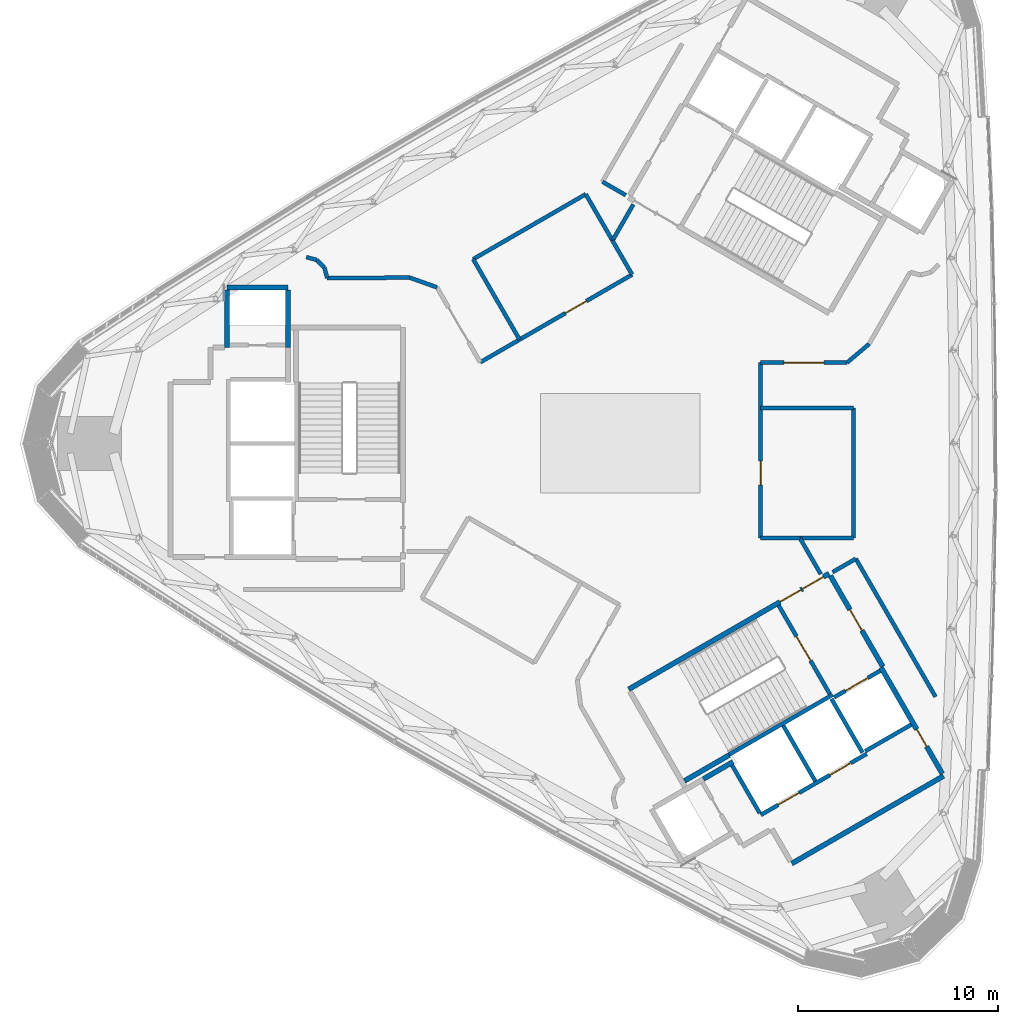
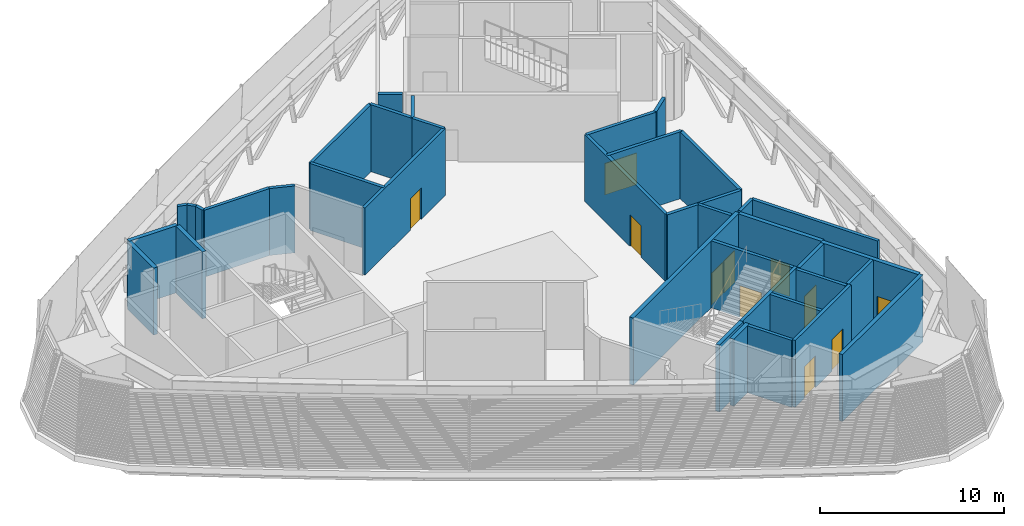
# One storey, part 12 of 18: 39 walls, 11 doors, 11 openings.
"""IFC4 building model written with IfcOpenShell, lengths in metres."""

from ifc_helpers import new_model, si_unit, direction, frame, frame_2d, origin, place, context, subcontext, project, spatial, rectangle, extrude, material, layer, layer_set, type_object, element, fill, save


model = new_model("IFC4")

# Units and contexts
model_context = context("Model", 3, precision=1e-05, world=origin(), true_north=direction((0.0, 1.0)))
body_context = subcontext(model_context, "Body", "Model", "MODEL_VIEW")
ifc_project = project(units=[si_unit("LENGTHUNIT", "METRE"), si_unit("AREAUNIT", "SQUARE_METRE"), si_unit("VOLUMEUNIT", "CUBIC_METRE"), si_unit("PLANEANGLEUNIT", "RADIAN"), si_unit("MASSUNIT", "GRAM", prefix="KILO")], contexts=[model_context])

# Site, building, storey
site_placement = place(None, origin())
site = spatial("IfcSite", under=ifc_project, at=site_placement, CompositionType="ELEMENT")
building_placement = place(site_placement, origin())
building = spatial("IfcBuilding", under=site, at=building_placement, Name="Tamra Quay Hotel Tower", CompositionType="ELEMENT")
storey_placement = place(building_placement, frame((0.0, 0.0, 211.60009765625)))
storey = spatial("IfcBuildingStorey", under=building, at=storey_placement, Name="L53", CompositionType="ELEMENT", Elevation=211.60009765625)

# Wall
ifc_material_1 = material(Name="Concrete M70", Category="concrete")
ifc_layer_1 = layer(ifc_material_1, 0.199951171875)
ifc_layer_set_1 = layer_set([ifc_layer_1], Name="Concrete M70 core wall 200")
wall_type_1 = type_object("IfcWallType", Name="Concrete M70 core wall 200", PredefinedType="SHEAR", material=ifc_layer_set_1)
wall_1_placement = place(storey_placement, frame((5.4189453125, -15.533935546875, 0.0), z_axis=(0.0, 0.0, 1.0), x_axis=(0.866029065029, 0.499993658486, 0.0)))
element("IfcWall", 1, at=wall_1_placement, inside=storey, type_object=wall_type_1, Name="CW2", PredefinedType="SHEAR", context=body_context, shape_type="SweptSolid", body=[
    extrude(rectangle(XDim=5.97412109375, YDim=0.199951171875, at=frame_2d((2.987060546875, 0.0))), origin(), (0.0, 0.0, 1.0), 4.449951171875),
])

# Wall, openings, doors
wall_2_placement = place(storey_placement, frame((7.009765625, -18.54150390625, 0.0), z_axis=(0.0, 0.0, 1.0), x_axis=(0.866030299012, 0.499991521122, 0.0)))
wall_2 = element("IfcWall", 2, at=wall_2_placement, inside=storey, type_object=wall_type_1, Name="CW2", PredefinedType="SHEAR", context=body_context, shape_type="SweptSolid", body=[
    extrude(rectangle(XDim=6.10009765625, YDim=0.199951171875, at=frame_2d((3.050048828125, 0.0))), origin(), (0.0, 0.0, 1.0), 4.449951171875),
])
opening_1_placement = place(wall_2_placement, frame((1.0, 0.0, 0.0)))
opening_1 = element("IfcOpeningElement", 3, at=opening_1_placement, cuts=wall_2, Name="Opening LD", PredefinedType="OPENING", context=body_context, shape_type="SweptSolid", body=[
    extrude(rectangle(XDim=1.199951171875, YDim=2.10009765625, at=frame_2d((0.60009765625, 1.050048828125))), frame((0.0, 0.10986328125, 0.0), z_axis=(0.0, -1.0, 0.0), x_axis=(1.0, 0.0, 0.0)), (0.0, 0.0, 1.0), 0.219970703125),
])
opening_2_placement = place(wall_2_placement, frame((3.982177734375, 0.0, 0.0)))
opening_2 = element("IfcOpeningElement", 4, at=opening_2_placement, cuts=wall_2, Name="Opening LD", PredefinedType="OPENING", context=body_context, shape_type="SweptSolid", body=[
    extrude(rectangle(XDim=1.199951171875, YDim=2.10009765625, at=frame_2d((0.60009765625, 1.050048828125))), frame((0.0, 0.10986328125, 0.0), z_axis=(0.0, -1.0, 0.0), x_axis=(1.0, 0.0, 0.0)), (0.0, 0.0, 1.0), 0.219970703125),
])
ifc_material_2 = material(Name="Landing door LD 1200 double door sliding")
door_type_1 = type_object("IfcDoorType", Name="Landing door LD 1200 double door sliding", OperationType="DOUBLE_DOOR_SLIDING", PredefinedType="DOOR", material=ifc_material_2)
door_1_placement = place(opening_1_placement, origin())
door_1 = element("IfcDoor", 5, at=door_1_placement, inside=storey, type_object=door_type_1, Name="LD", OperationType="DOUBLE_DOOR_SLIDING", OverallHeight=2.10009765625, OverallWidth=1.199951171875, PredefinedType="DOOR", context=body_context, shape_type="SweptSolid", body=[
    extrude(rectangle(XDim=1.199951171875, YDim=2.10009765625, at=frame_2d((0.60009765625, 1.050048828125))), frame((0.0, 0.02490234375, 0.0), z_axis=(0.0, -1.0, 0.0), x_axis=(1.0, 0.0, 0.0)), (0.0, 0.0, 1.0), 0.050048828125),
])
fill(opening_1, door_1)
door_2_placement = place(opening_2_placement, origin())
door_2 = element("IfcDoor", 6, at=door_2_placement, inside=storey, type_object=door_type_1, Name="LD", OperationType="DOUBLE_DOOR_SLIDING", OverallHeight=2.10009765625, OverallWidth=1.199951171875, PredefinedType="DOOR", context=body_context, shape_type="SweptSolid", body=[
    extrude(rectangle(XDim=1.199951171875, YDim=2.10009765625, at=frame_2d((0.60009765625, 1.050048828125))), frame((0.0, 0.02490234375, 0.0), z_axis=(0.0, -1.0, 0.0), x_axis=(1.0, 0.0, 0.0)), (0.0, 0.0, 1.0), 0.050048828125),
])
fill(opening_2, door_2)

# Wall, opening, door
wall_3_placement = place(storey_placement, frame((7.906494140625, -8.094482421875, 0.0), z_axis=(0.0, 0.0, 1.0), x_axis=(0.500027839223, -0.866009330205, 0.0)))
wall_3 = element("IfcWall", 7, at=wall_3_placement, inside=storey, type_object=wall_type_1, Name="CW2", PredefinedType="SHEAR", context=body_context, shape_type="SweptSolid", body=[
    extrude(rectangle(XDim=5.097900390625, YDim=0.199951171875, at=frame_2d((2.548828125, 0.0))), origin(), (0.0, 0.0, 1.0), 4.449951171875),
])
opening_3_placement = place(wall_3_placement, frame((1.77392578125, 0.0, 0.0)))
opening_3 = element("IfcOpeningElement", 8, at=opening_3_placement, cuts=wall_3, Name="Opening FD2", PredefinedType="OPENING", context=body_context, shape_type="SweptSolid", body=[
    extrude(rectangle(XDim=1.39990234375, YDim=2.10009765625, at=frame_2d((0.699951171875, 1.050048828125))), frame((0.0, 0.10986328125, 0.0), z_axis=(0.0, -1.0, 0.0), x_axis=(1.0, 0.0, 0.0)), (0.0, 0.0, 1.0), 0.219970703125),
])
ifc_material_3 = material(Name="Core door FD2 1400x2100 RH")
door_type_2 = type_object("IfcDoorType", Name="Core door FD2 1400x2100 RH", OperationType="NOTDEFINED", PredefinedType="DOOR", material=ifc_material_3)
door_3_placement = place(opening_3_placement, origin())
door_3 = element("IfcDoor", 9, at=door_3_placement, inside=storey, type_object=door_type_2, Name="FD2", OperationType="SINGLE_SWING_RIGHT", OverallHeight=2.10009765625, OverallWidth=1.39990234375, PredefinedType="DOOR", context=body_context, shape_type="SweptSolid", body=[
    extrude(rectangle(XDim=1.39990234375, YDim=2.10009765625, at=frame_2d((0.699951171875, 1.050048828125))), frame((0.0, 0.02490234375, 0.0), z_axis=(0.0, -1.0, 0.0), x_axis=(1.0, 0.0, 0.0)), (0.0, 0.0, 1.0), 0.050048828125),
])
fill(opening_3, door_3)

# Walls
wall_4_placement = place(storey_placement, frame((8.131591796875, -14.084228515625, 0.0), z_axis=(0.0, 0.0, 1.0), x_axis=(0.499997778408, -0.866026686418, 0.0)))
element("IfcWall", 10, at=wall_4_placement, inside=storey, type_object=wall_type_1, Name="CW2", PredefinedType="SHEAR", context=body_context, shape_type="SweptSolid", body=[
    extrude(rectangle(XDim=3.1982421875, YDim=0.199951171875, at=frame_2d((1.59912109375, 0.0))), origin(), (0.0, 0.0, 1.0), 4.449951171875),
])
wall_5_placement = place(storey_placement, frame((6.959716796875, -18.455078125, 0.0), z_axis=(0.0, 0.0, 1.0), x_axis=(-0.499926705758, 0.866067716099, 0.0)))
element("IfcWall", 11, at=wall_5_placement, inside=storey, type_object=wall_type_1, Name="CW2", PredefinedType="SHEAR", context=body_context, shape_type="SweptSolid", body=[
    extrude(rectangle(XDim=2.75927734375, YDim=0.199951171875, at=frame_2d((1.379638671875, 0.0))), origin(), (0.0, 0.0, 1.0), 4.449951171875),
])
wall_6_placement = place(storey_placement, frame((12.087646484375, -15.4365234375, 0.0), z_axis=(0.0, 0.0, 1.0), x_axis=(-0.500026960575, 0.86600983753, 0.0)))
element("IfcWall", 12, at=wall_6_placement, inside=storey, type_object=wall_type_1, Name="CW2", PredefinedType="SHEAR", context=body_context, shape_type="SweptSolid", body=[
    extrude(rectangle(XDim=3.099853515625, YDim=0.199951171875, at=frame_2d((1.5498046875, 0.0))), origin(), (0.0, 0.0, 1.0), 4.449951171875),
])

# Wall, opening, door
wall_7_placement = place(storey_placement, frame((10.666015625, -12.677734375, 0.0), z_axis=(0.0, 0.0, 1.0), x_axis=(0.866018407898, 0.500012117035, 0.0)))
wall_7 = element("IfcWall", 13, at=wall_7_placement, inside=storey, type_object=wall_type_1, Name="CW2", PredefinedType="SHEAR", context=body_context, shape_type="SweptSolid", body=[
    extrude(rectangle(XDim=2.65087890625, YDim=0.199951171875, at=frame_2d((1.325439453125, 0.0))), origin(), (0.0, 0.0, 1.0), 4.449951171875),
])
opening_4_placement = place(wall_7_placement, frame((0.65185546875, 0.0, 0.0)))
opening_4 = element("IfcOpeningElement", 14, at=opening_4_placement, cuts=wall_7, Name="Opening LD", PredefinedType="OPENING", context=body_context, shape_type="SweptSolid", body=[
    extrude(rectangle(XDim=1.300048828125, YDim=2.10009765625, at=frame_2d((0.64990234375, 1.050048828125))), frame((0.0, 0.10986328125, 0.0), z_axis=(0.0, -1.0, 0.0), x_axis=(1.0, 0.0, 0.0)), (0.0, 0.0, 1.0), 0.219970703125),
])
ifc_material_4 = material(Name="Landing door LD 1300 sliding to right")
door_type_3 = type_object("IfcDoorType", Name="Landing door LD 1300 sliding to right", OperationType="NOTDEFINED", PredefinedType="DOOR", material=ifc_material_4)
door_4_placement = place(opening_4_placement, origin())
door_4 = element("IfcDoor", 15, at=door_4_placement, inside=storey, type_object=door_type_3, Name="LD", OperationType="SLIDING_TO_RIGHT", OverallHeight=2.10009765625, OverallWidth=1.300048828125, PredefinedType="DOOR", context=body_context, shape_type="SweptSolid", body=[
    extrude(rectangle(XDim=1.300048828125, YDim=2.10009765625, at=frame_2d((0.64990234375, 1.050048828125))), frame((0.0, 0.02490234375, 0.0), z_axis=(0.0, -1.0, 0.0), x_axis=(1.0, 0.0, 0.0)), (0.0, 0.0, 1.0), 0.050048828125),
])
fill(opening_4, door_4)

# Walls
wall_8_placement = place(storey_placement, frame((14.51171875, -14.037109375, 0.0), z_axis=(0.0, 0.0, 1.0), x_axis=(-0.866018407898, -0.500012117035, 0.0)))
element("IfcWall", 16, at=wall_8_placement, inside=storey, type_object=wall_type_1, Name="CW2", PredefinedType="SHEAR", context=body_context, shape_type="SweptSolid", body=[
    extrude(rectangle(XDim=2.65087890625, YDim=0.199951171875, at=frame_2d((1.325439453125, 0.0))), origin(), (0.0, 0.0, 1.0), 4.449951171875),
])
ifc_layer_2 = layer(ifc_material_1, 0.25)
ifc_layer_set_2 = layer_set([ifc_layer_2], Name="Concrete M70 core wall 250")
wall_type_2 = type_object("IfcWallType", Name="Concrete M70 core wall 250", PredefinedType="SHEAR", material=ifc_layer_set_2)
wall_9_placement = place(storey_placement, frame((-19.63720703125, 7.77490234375, 0.0), z_axis=(0.0, 0.0, 1.0), x_axis=(1.0, 0.0, 0.0)))
element("IfcWall", 17, at=wall_9_placement, inside=storey, type_object=wall_type_2, Name="CW1", PredefinedType="SHEAR", context=body_context, shape_type="SweptSolid", body=[
    extrude(rectangle(XDim=3.0498046875, YDim=0.25, at=frame_2d((1.52490234375, 0.0))), origin(), (0.0, 0.0, 1.0), 4.449951171875),
])
for number, where, z_axis, x_axis, name in (
    (18, (-16.58740234375, 7.649658203125, 0.0), (0.0, 0.0, 1.0), (0.0, -1.0, 0.0), "CW1"),
    (19, (-19.63720703125, 4.784912109375, 0.0), (0.0, 0.0, 1.0), (0.0, 1.0, 0.0), "CW1"),
):
    element("IfcWall", number, at=place(storey_placement, frame(where, z_axis=z_axis, x_axis=x_axis)), inside=storey, type_object=wall_type_2, Name=name, PredefinedType="SHEAR", context=body_context, shape_type="SweptSolid", body=[
        extrude(rectangle(XDim=2.86474609375, YDim=0.25, at=frame_2d((1.432373046875, 0.0))), origin(), (0.0, 0.0, 1.0), 4.449951171875),
    ])

# Wall, openings, doors
wall_10_placement = place(storey_placement, frame((0.417236328125, -12.27294921875, 0.0), z_axis=(0.0, 0.0, 1.0), x_axis=(0.866021906294, 0.500006057782, 0.0)))
wall_10 = element("IfcWall", 20, at=wall_10_placement, inside=storey, type_object=wall_type_2, Name="CW1", PredefinedType="SHEAR", context=body_context, shape_type="SweptSolid", body=[
    extrude(rectangle(XDim=11.550048828125, YDim=0.25, at=frame_2d((5.77490234375, 0.0))), origin(), (0.0, 0.0, 1.0), 4.449951171875),
])
opening_5_placement = place(wall_10_placement, frame((10.024658203125, 0.0, 0.0)))
opening_5 = element("IfcOpeningElement", 21, at=opening_5_placement, cuts=wall_10, Name="Opening FD1", PredefinedType="OPENING", context=body_context, shape_type="SweptSolid", body=[
    extrude(rectangle(XDim=1.199951171875, YDim=2.10009765625, at=frame_2d((0.60009765625, 1.050048828125))), frame((0.0, 0.135009765625, 0.0), z_axis=(0.0, -1.0, 0.0), x_axis=(1.0, 0.0, 0.0)), (0.0, 0.0, 1.0), 0.27001953125),
])
opening_6_placement = place(wall_10_placement, frame((8.724609375, 0.0, 0.0)))
opening_6 = element("IfcOpeningElement", 22, at=opening_6_placement, cuts=wall_10, Name="Opening FD1", PredefinedType="OPENING", context=body_context, shape_type="SweptSolid", body=[
    extrude(rectangle(XDim=1.199951171875, YDim=2.10009765625, at=frame_2d((0.60009765625, 1.050048828125))), frame((0.0, 0.135009765625, 0.0), z_axis=(0.0, -1.0, 0.0), x_axis=(1.0, 0.0, 0.0)), (0.0, 0.0, 1.0), 0.27001953125),
])
ifc_material_5 = material(Name="Core door FD1 1200x2100 LH")
door_type_4 = type_object("IfcDoorType", Name="Core door FD1 1200x2100 LH", OperationType="NOTDEFINED", PredefinedType="DOOR", material=ifc_material_5)
door_5_placement = place(opening_5_placement, origin())
door_5 = element("IfcDoor", 23, at=door_5_placement, inside=storey, type_object=door_type_4, Name="FD1", OperationType="SINGLE_SWING_LEFT", OverallHeight=2.10009765625, OverallWidth=1.199951171875, PredefinedType="DOOR", context=body_context, shape_type="SweptSolid", body=[
    extrude(rectangle(XDim=1.199951171875, YDim=2.10009765625, at=frame_2d((0.60009765625, 1.050048828125))), frame((0.0, 0.02490234375, 0.0), z_axis=(0.0, -1.0, 0.0), x_axis=(1.0, 0.0, 0.0)), (0.0, 0.0, 1.0), 0.050048828125),
])
fill(opening_5, door_5)
ifc_material_6 = material(Name="Core door FD1 1200x2100 RH")
door_type_5 = type_object("IfcDoorType", Name="Core door FD1 1200x2100 RH", OperationType="NOTDEFINED", PredefinedType="DOOR", material=ifc_material_6)
door_6_placement = place(opening_6_placement, origin())
door_6 = element("IfcDoor", 24, at=door_6_placement, inside=storey, type_object=door_type_5, Name="FD1", OperationType="SINGLE_SWING_RIGHT", OverallHeight=2.10009765625, OverallWidth=1.199951171875, PredefinedType="DOOR", context=body_context, shape_type="SweptSolid", body=[
    extrude(rectangle(XDim=1.199951171875, YDim=2.10009765625, at=frame_2d((0.60009765625, 1.050048828125))), frame((0.0, 0.02490234375, 0.0), z_axis=(0.0, -1.0, 0.0), x_axis=(1.0, 0.0, 0.0)), (0.0, 0.0, 1.0), 0.050048828125),
])
fill(opening_6, door_6)

# Wall
wall_11_placement = place(storey_placement, frame((16.13330078125, -16.59375, 0.0), z_axis=(0.0, 0.0, 1.0), x_axis=(-0.866022959057, -0.500004234368, 0.0)))
element("IfcWall", 25, at=wall_11_placement, inside=storey, type_object=wall_type_2, Name="CW1", PredefinedType="SHEAR", context=body_context, shape_type="SweptSolid", body=[
    extrude(rectangle(XDim=8.75, YDim=0.25, at=frame_2d((4.375, 0.0))), origin(), (0.0, 0.0, 1.0), 4.449951171875),
])

# Wall, opening, door
wall_12_placement = place(storey_placement, frame((13.00830078125, -11.18115234375, 0.0), z_axis=(0.0, 0.0, 1.0), x_axis=(0.500001955336, -0.866024274868, 0.0)))
wall_12 = element("IfcWall", 26, at=wall_12_placement, inside=storey, type_object=wall_type_2, Name="CW1", PredefinedType="SHEAR", context=body_context, shape_type="SweptSolid", body=[
    extrude(rectangle(XDim=6.12451171875, YDim=0.25, at=frame_2d((3.062255859375, 0.0))), origin(), (0.0, 0.0, 1.0), 4.449951171875),
])
opening_7_placement = place(wall_12_placement, frame((3.562744140625, 0.0, 0.0)))
opening_7 = element("IfcOpeningElement", 27, at=opening_7_placement, cuts=wall_12, Name="Opening FD3", PredefinedType="OPENING", context=body_context, shape_type="SweptSolid", body=[
    extrude(rectangle(XDim=1.0, YDim=2.10009765625, at=frame_2d((0.5, 1.050048828125))), frame((0.0, 0.135009765625, 0.0), z_axis=(0.0, -1.0, 0.0), x_axis=(1.0, 0.0, 0.0)), (0.0, 0.0, 1.0), 0.27001953125),
])
ifc_material_7 = material(Name="Core door FD3 1000x2100 LH")
door_type_6 = type_object("IfcDoorType", Name="Core door FD3 1000x2100 LH", OperationType="NOTDEFINED", PredefinedType="DOOR", material=ifc_material_7)
door_7_placement = place(opening_7_placement, origin())
door_7 = element("IfcDoor", 28, at=door_7_placement, inside=storey, type_object=door_type_6, Name="FD3", OperationType="SINGLE_SWING_LEFT", OverallHeight=2.10009765625, OverallWidth=1.0, PredefinedType="DOOR", context=body_context, shape_type="SweptSolid", body=[
    extrude(rectangle(XDim=1.0, YDim=2.10009765625, at=frame_2d((0.5, 1.050048828125))), frame((0.0, 0.02490234375, 0.0), z_axis=(0.0, -1.0, 0.0), x_axis=(1.0, 0.0, 0.0)), (0.0, 0.0, 1.0), 0.050048828125),
])
fill(opening_7, door_7)

wall_13_placement = place(storey_placement, frame((10.482666015625, -6.6064453125, 0.0), z_axis=(0.0, 0.0, 1.0), x_axis=(0.49999885962, -0.866026062182, 0.0)))
wall_13 = element("IfcWall", 29, at=wall_13_placement, inside=storey, type_object=wall_type_2, Name="CW1", PredefinedType="SHEAR", context=body_context, shape_type="SweptSolid", body=[
    extrude(rectangle(XDim=5.224609375, YDim=0.25, at=frame_2d((2.6123046875, 0.0))), origin(), (0.0, 0.0, 1.0), 4.449951171875),
])
opening_8_placement = place(wall_13_placement, frame((1.94970703125, 0.0, 0.0)))
opening_8 = element("IfcOpeningElement", 30, at=opening_8_placement, cuts=wall_13, Name="Opening D2", PredefinedType="OPENING", context=body_context, shape_type="SweptSolid", body=[
    extrude(rectangle(XDim=1.199951171875, YDim=2.10009765625, at=frame_2d((0.60009765625, 1.050048828125))), frame((0.0, 0.135009765625, 0.0), z_axis=(0.0, -1.0, 0.0), x_axis=(1.0, 0.0, 0.0)), (0.0, 0.0, 1.0), 0.27001953125),
])
ifc_material_8 = material(Name="Core door D2 1200x2100 LH")
door_type_7 = type_object("IfcDoorType", Name="Core door D2 1200x2100 LH", OperationType="NOTDEFINED", PredefinedType="DOOR", material=ifc_material_8)
door_8_placement = place(opening_8_placement, origin())
door_8 = element("IfcDoor", 31, at=door_8_placement, inside=storey, type_object=door_type_7, Name="D2", OperationType="SINGLE_SWING_LEFT", OverallHeight=2.10009765625, OverallWidth=1.199951171875, PredefinedType="DOOR", context=body_context, shape_type="SweptSolid", body=[
    extrude(rectangle(XDim=1.199951171875, YDim=2.10009765625, at=frame_2d((0.60009765625, 1.050048828125))), frame((0.0, 0.02490234375, 0.0), z_axis=(0.0, -1.0, 0.0), x_axis=(1.0, 0.0, 0.0)), (0.0, 0.0, 1.0), 0.050048828125),
])
fill(opening_8, door_8)

# Walls
wall_14_placement = place(storey_placement, frame((5.4306640625, -15.55615234375, 0.0), z_axis=(0.0, 0.0, 1.0), x_axis=(-0.866022940537, -0.500004266446, 0.0)))
element("IfcWall", 32, at=wall_14_placement, inside=storey, type_object=wall_type_2, Name="CW1", PredefinedType="SHEAR", context=body_context, shape_type="SweptSolid", body=[
    extrude(rectangle(XDim=2.57470703125, YDim=0.25, at=frame_2d((1.287353515625, 0.0))), origin(), (0.0, 0.0, 1.0), 4.449951171875),
])
wall_15_placement = place(storey_placement, frame((4.144775390625, -16.748779296875, 0.0), z_axis=(0.0, 0.0, 1.0), x_axis=(0.866038183914, 0.499977863513, 0.0)))
element("IfcWall", 33, at=wall_15_placement, inside=storey, type_object=wall_type_2, Name="CW1", PredefinedType="SHEAR", context=body_context, shape_type="SweptSolid", body=[
    extrude(rectangle(XDim=1.7099609375, YDim=0.25, at=frame_2d((0.85498046875, 0.0))), origin(), (0.0, 0.0, 1.0), 4.449951171875),
])
ifc_material_9 = material(Name="Partition corridor wall")
ifc_layer_3 = layer(ifc_material_9, 0.199951171875)
ifc_layer_set_3 = layer_set([ifc_layer_3], Name="Partition corridor wall")
wall_type_3 = type_object("IfcWallType", Name="Partition corridor wall", PredefinedType="PARTITIONING", material=ifc_layer_set_3)
wall_16_placement = place(storey_placement, frame((-15.672119140625, 9.294921875, 0.0), z_axis=(0.0, 0.0, 1.0), x_axis=(0.965942005015, -0.258758657725, 0.0)))
element("IfcWall", 34, at=wall_16_placement, inside=storey, type_object=wall_type_3, Name="W-C", PredefinedType="PARTITIONING", context=body_context, shape_type="SweptSolid", body=[
    extrude(rectangle(XDim=0.54052734375, YDim=0.199951171875, at=frame_2d((0.270263671875, 0.0))), origin(), (0.0, 0.0, 1.0), 4.449951171875),
])
wall_17_placement = place(storey_placement, frame((-15.14990234375, 9.155029296875, 0.0), z_axis=(0.0, 0.0, 1.0), x_axis=(0.706880760177, -0.707332729973, 0.0)))
element("IfcWall", 35, at=wall_17_placement, inside=storey, type_object=wall_type_3, Name="W-C", PredefinedType="PARTITIONING", context=body_context, shape_type="SweptSolid", body=[
    extrude(rectangle(XDim=0.540283203125, YDim=0.199951171875, at=frame_2d((0.27001953125, 0.0))), origin(), (0.0, 0.0, 1.0), 4.449951171875),
])
wall_18_placement = place(storey_placement, frame((-14.76806640625, 8.77294921875, 0.0), z_axis=(0.0, 0.0, 1.0), x_axis=(0.259418497784, -0.965765004029, 0.0)))
element("IfcWall", 36, at=wall_18_placement, inside=storey, type_object=wall_type_3, Name="W-C", PredefinedType="PARTITIONING", context=body_context, shape_type="SweptSolid", body=[
    extrude(rectangle(XDim=0.536376953125, YDim=0.199951171875, at=frame_2d((0.26806640625, 0.0))), origin(), (0.0, 0.0, 1.0), 4.449951171875),
])
wall_19_placement = place(storey_placement, frame((-14.62890625, 8.2548828125, 0.0), z_axis=(0.0, 0.0, 1.0), x_axis=(0.999992362559, 0.003908302003, 0.0)))
element("IfcWall", 37, at=wall_19_placement, inside=storey, type_object=wall_type_3, Name="W-C", PredefinedType="PARTITIONING", context=body_context, shape_type="SweptSolid", body=[
    extrude(rectangle(XDim=4.122802734375, YDim=0.199951171875, at=frame_2d((2.0615234375, 0.0))), origin(), (0.0, 0.0, 1.0), 4.449951171875),
])
wall_20_placement = place(storey_placement, frame((-10.506103515625, 8.27099609375, 0.0), z_axis=(0.0, 0.0, 1.0), x_axis=(0.941499917848, -0.337013211451, 0.0)))
element("IfcWall", 38, at=wall_20_placement, inside=storey, type_object=wall_type_3, Name="W-C", PredefinedType="PARTITIONING", context=body_context, shape_type="SweptSolid", body=[
    extrude(rectangle(XDim=1.439453125, YDim=0.199951171875, at=frame_2d((0.7197265625, 0.0))), origin(), (0.0, 0.0, 1.0), 4.449951171875),
])

# Wall, opening, door
wall_21_placement = place(storey_placement, frame((-6.991943359375, 4.0458984375, 0.0), z_axis=(0.0, 0.0, 1.0), x_axis=(0.866074131153, 0.499915592224, 0.0)))
wall_21 = element("IfcWall", 39, at=wall_21_placement, inside=storey, type_object=wall_type_3, Name="W-C", PredefinedType="PARTITIONING", context=body_context, shape_type="SweptSolid", body=[
    extrude(rectangle(XDim=8.75390625, YDim=0.199951171875, at=frame_2d((4.376953125, 0.0))), origin(), (0.0, 0.0, 1.0), 4.449951171875),
])
opening_9_placement = place(wall_21_placement, frame((4.91259765625, 0.0, 0.0)))
opening_9 = element("IfcOpeningElement", 40, at=opening_9_placement, cuts=wall_21, Name="Opening L53-D004", PredefinedType="OPENING", context=body_context, shape_type="SweptSolid", body=[
    extrude(rectangle(XDim=1.199951171875, YDim=2.10009765625, at=frame_2d((0.60009765625, 1.050048828125))), frame((0.0, 0.10986328125, 0.0), z_axis=(0.0, -1.0, 0.0), x_axis=(1.0, 0.0, 0.0)), (0.0, 0.0, 1.0), 0.219970703125),
])
ifc_material_10 = material(Name="Door fire rated 1200x2100")
door_type_8 = type_object("IfcDoorType", Name="Door fire rated 1200x2100", OperationType="NOTDEFINED", PredefinedType="DOOR", material=ifc_material_10)
door_9_placement = place(opening_9_placement, origin())
door_9 = element("IfcDoor", 41, at=door_9_placement, inside=storey, type_object=door_type_8, Name="L53-D004", OperationType="SINGLE_SWING_LEFT", OverallHeight=2.10009765625, OverallWidth=1.199951171875, PredefinedType="DOOR", context=body_context, shape_type="SweptSolid", body=[
    extrude(rectangle(XDim=1.199951171875, YDim=2.10009765625, at=frame_2d((0.60009765625, 1.050048828125))), frame((0.0, 0.02490234375, 0.0), z_axis=(0.0, -1.0, 0.0), x_axis=(1.0, 0.0, 0.0)), (0.0, 0.0, 1.0), 0.050048828125),
])
fill(opening_9, door_9)

# Walls
wall_22_placement = place(storey_placement, frame((-0.89111328125, 13.056884765625, 0.0), z_axis=(0.0, 0.0, 1.0), x_axis=(0.866206814563, -0.499685655593, 0.0)))
element("IfcWall", 42, at=wall_22_placement, inside=storey, type_object=wall_type_3, Name="W-C", PredefinedType="PARTITIONING", context=body_context, shape_type="SweptSolid", body=[
    extrude(rectangle(XDim=1.340087890625, YDim=0.199951171875, at=frame_2d((0.669921875, 0.0))), origin(), (0.0, 0.0, 1.0), 4.449951171875),
])
wall_23_placement = place(storey_placement, frame((-0.39208984375, 10.12109375, 0.0), z_axis=(0.0, 0.0, 1.0), x_axis=(0.500329449036, -0.865835112725, 0.0)))
element("IfcWall", 43, at=wall_23_placement, inside=storey, type_object=wall_type_3, Name="W-C", PredefinedType="PARTITIONING", context=body_context, shape_type="SweptSolid", body=[
    extrude(rectangle(XDim=1.961181640625, YDim=0.199951171875, at=frame_2d((0.98046875, 0.0))), origin(), (0.0, 0.0, 1.0), 4.449951171875),
])
wall_24_placement = place(storey_placement, frame((-0.39208984375, 10.12109375, 0.0), z_axis=(0.0, 0.0, 1.0), x_axis=(0.50017216111, 0.865925983702, 0.0)))
element("IfcWall", 44, at=wall_24_placement, inside=storey, type_object=wall_type_3, Name="W-C", PredefinedType="PARTITIONING", context=body_context, shape_type="SweptSolid", body=[
    extrude(rectangle(XDim=2.083251953125, YDim=0.199951171875, at=frame_2d((1.04150390625, 0.0))), origin(), (0.0, 0.0, 1.0), 4.449951171875),
])

# Wall, opening, door
wall_25_placement = place(storey_placement, frame((7.0, -4.720947265625, 0.0), z_axis=(0.0, 0.0, 1.0), x_axis=(0.0, 1.0, 0.0)))
wall_25 = element("IfcWall", 45, at=wall_25_placement, inside=storey, type_object=wall_type_3, Name="W-C", PredefinedType="PARTITIONING", context=body_context, shape_type="SweptSolid", body=[
    extrude(rectangle(XDim=8.7529296875, YDim=0.199951171875, at=frame_2d((4.37646484375, 0.0))), origin(), (0.0, 0.0, 1.0), 4.449951171875),
])
opening_10_placement = place(wall_25_placement, frame((2.64111328125, 0.0, 0.0)))
opening_10 = element("IfcOpeningElement", 46, at=opening_10_placement, cuts=wall_25, Name="Opening L53-D005", PredefinedType="OPENING", context=body_context, shape_type="SweptSolid", body=[
    extrude(rectangle(XDim=1.199951171875, YDim=2.10009765625, at=frame_2d((0.60009765625, 1.050048828125))), frame((0.0, 0.10986328125, 0.0), z_axis=(0.0, -1.0, 0.0), x_axis=(1.0, 0.0, 0.0)), (0.0, 0.0, 1.0), 0.219970703125),
])
door_10_placement = place(opening_10_placement, frame((1.199951171875, 0.0, 0.0), z_axis=(0.0, 0.0, 1.0), x_axis=(-1.0, 0.0, 0.0)))
door_10 = element("IfcDoor", 47, at=door_10_placement, inside=storey, type_object=door_type_8, Name="L53-D005", OperationType="SINGLE_SWING_LEFT", OverallHeight=2.10009765625, OverallWidth=1.199951171875, PredefinedType="DOOR", context=body_context, shape_type="SweptSolid", body=[
    extrude(rectangle(XDim=1.199951171875, YDim=2.10009765625, at=frame_2d((0.60009765625, 1.050048828125))), frame((0.0, 0.02490234375, 0.0), z_axis=(0.0, -1.0, 0.0), x_axis=(1.0, 0.0, 0.0)), (0.0, 0.0, 1.0), 0.050048828125),
])
fill(opening_10, door_10)

# Wall
wall_26_placement = place(storey_placement, frame((7.0, -4.720947265625, 0.0), z_axis=(0.0, 0.0, 1.0), x_axis=(1.0, 0.0, 0.0)))
element("IfcWall", 48, at=wall_26_placement, inside=storey, type_object=wall_type_3, Name="W-C", PredefinedType="PARTITIONING", context=body_context, shape_type="SweptSolid", body=[
    extrude(rectangle(XDim=1.9609375, YDim=0.199951171875, at=frame_2d((0.98046875, 0.0))), origin(), (0.0, 0.0, 1.0), 4.449951171875),
])

# Wall, opening, door
wall_27_placement = place(storey_placement, frame((7.0, 4.031982421875, 0.0), z_axis=(0.0, 0.0, 1.0), x_axis=(1.0, 0.0, 0.0)))
wall_27 = element("IfcWall", 49, at=wall_27_placement, inside=storey, type_object=wall_type_3, Name="W-C", PredefinedType="PARTITIONING", context=body_context, shape_type="SweptSolid", body=[
    extrude(rectangle(XDim=4.318115234375, YDim=0.199951171875, at=frame_2d((2.1591796875, 0.0))), origin(), (0.0, 0.0, 1.0), 4.449951171875),
])
opening_11_placement = place(wall_27_placement, frame((1.16162109375, 0.0, 0.0)))
opening_11 = element("IfcOpeningElement", 50, at=opening_11_placement, cuts=wall_27, Name="Opening L53-D002", PredefinedType="OPENING", context=body_context, shape_type="SweptSolid", body=[
    extrude(rectangle(XDim=2.0, YDim=2.10009765625, at=frame_2d((1.0, 1.050048828125))), frame((0.0, 0.10986328125, 0.0), z_axis=(0.0, -1.0, 0.0), x_axis=(1.0, 0.0, 0.0)), (0.0, 0.0, 1.0), 0.219970703125),
])
ifc_material_11 = material(Name="Door double leaf 2000x2100")
door_type_9 = type_object("IfcDoorType", Name="Door double leaf 2000x2100", OperationType="DOUBLE_DOOR_SINGLE_SWING", PredefinedType="DOOR", material=ifc_material_11)
door_11_placement = place(opening_11_placement, frame((2.0, 0.0, 0.0), z_axis=(0.0, 0.0, 1.0), x_axis=(-1.0, 0.0, 0.0)))
door_11 = element("IfcDoor", 51, at=door_11_placement, inside=storey, type_object=door_type_9, Name="L53-D002", OperationType="DOUBLE_DOOR_SINGLE_SWING", OverallHeight=2.10009765625, OverallWidth=2.0, PredefinedType="DOOR", context=body_context, shape_type="SweptSolid", body=[
    extrude(rectangle(XDim=2.0, YDim=2.10009765625, at=frame_2d((1.0, 1.050048828125))), frame((0.0, 0.02490234375, 0.0), z_axis=(0.0, -1.0, 0.0), x_axis=(1.0, 0.0, 0.0)), (0.0, 0.0, 1.0), 0.050048828125),
])
fill(opening_11, door_11)

# Walls
wall_28_placement = place(storey_placement, frame((8.9609375, -4.720947265625, 0.0), z_axis=(0.0, 0.0, 1.0), x_axis=(0.499806992981, -0.866136807766, 0.0)))
element("IfcWall", 52, at=wall_28_placement, inside=storey, type_object=wall_type_3, Name="W-C", PredefinedType="PARTITIONING", context=body_context, shape_type="SweptSolid", body=[
    extrude(rectangle(XDim=2.083251953125, YDim=0.199951171875, at=frame_2d((1.04150390625, 0.0))), origin(), (0.0, 0.0, 1.0), 4.449951171875),
])
wall_29_placement = place(storey_placement, frame((10.5927734375, -6.42724609375, 0.0), z_axis=(0.0, 0.0, 1.0), x_axis=(0.865912429188, 0.500195626709, 0.0)))
element("IfcWall", 53, at=wall_29_placement, inside=storey, type_object=wall_type_3, Name="W-C", PredefinedType="PARTITIONING", context=body_context, shape_type="SweptSolid", body=[
    extrude(rectangle(XDim=1.33984375, YDim=0.199951171875, at=frame_2d((0.669921875, 0.0))), origin(), (0.0, 0.0, 1.0), 4.449951171875),
])
wall_30_placement = place(storey_placement, frame((11.318115234375, 4.031982421875, 0.0), z_axis=(0.0, 0.0, 1.0), x_axis=(0.762729681786, 0.646717428652, 0.0)))
element("IfcWall", 54, at=wall_30_placement, inside=storey, type_object=wall_type_3, Name="W-C", PredefinedType="PARTITIONING", context=body_context, shape_type="SweptSolid", body=[
    extrude(rectangle(XDim=1.439453125, YDim=0.199951171875, at=frame_2d((0.7197265625, 0.0))), origin(), (0.0, 0.0, 1.0), 4.449951171875),
])
wall_31_placement = place(storey_placement, frame((11.7529296875, -5.757080078125, 0.0), z_axis=(0.0, 0.0, 1.0), x_axis=(0.500058164282, -0.865991820016, 0.0)))
element("IfcWall", 55, at=wall_31_placement, inside=storey, type_object=wall_type_3, Name="W-C", PredefinedType="PARTITIONING", context=body_context, shape_type="SweptSolid", body=[
    extrude(rectangle(XDim=7.95263671875, YDim=0.199951171875, at=frame_2d((3.976318359375, 0.0))), origin(), (0.0, 0.0, 1.0), 4.449951171875),
])
ifc_material_12 = material(Name="Partition party wall")
ifc_layer_4 = layer(ifc_material_12, 0.199951171875)
ifc_layer_set_4 = layer_set([ifc_layer_4], Name="Partition party wall")
wall_type_4 = type_object("IfcWallType", Name="Partition party wall", PredefinedType="PARTITIONING", material=ifc_layer_set_4)
wall_32_placement = place(storey_placement, frame((-7.342041015625, 9.193115234375, 0.0), z_axis=(0.0, 0.0, 1.0), x_axis=(0.866016906217, 0.500014717929, 0.0)))
element("IfcWall", 56, at=wall_32_placement, inside=storey, type_object=wall_type_4, Name="W-P", PredefinedType="PARTITIONING", context=body_context, shape_type="SweptSolid", body=[
    extrude(rectangle(XDim=6.483642578125, YDim=0.199951171875, at=frame_2d((3.24169921875, 0.0))), origin(), (0.0, 0.0, 1.0), 4.449951171875),
])
wall_33_placement = place(storey_placement, frame((-7.342041015625, 9.193115234375, 0.0), z_axis=(0.0, 0.0, 1.0), x_axis=(0.499644836288, -0.866230360569, 0.0)))
element("IfcWall", 57, at=wall_33_placement, inside=storey, type_object=wall_type_4, Name="W-P", PredefinedType="PARTITIONING", context=body_context, shape_type="SweptSolid", body=[
    extrude(rectangle(XDim=4.629150390625, YDim=0.199951171875, at=frame_2d((2.314453125, 0.0))), origin(), (0.0, 0.0, 1.0), 4.449951171875),
])
wall_34_placement = place(storey_placement, frame((-1.72705078125, 12.43505859375, 0.0), z_axis=(0.0, 0.0, 1.0), x_axis=(0.500509380909, -0.865731112772, 0.0)))
element("IfcWall", 58, at=wall_34_placement, inside=storey, type_object=wall_type_4, Name="W-P", PredefinedType="PARTITIONING", context=body_context, shape_type="SweptSolid", body=[
    extrude(rectangle(XDim=2.667236328125, YDim=0.199951171875, at=frame_2d((1.33349609375, 0.0))), origin(), (0.0, 0.0, 1.0), 4.449951171875),
])
wall_35_placement = place(storey_placement, frame((7.0029296875, 1.762939453125, 0.0), z_axis=(0.0, 0.0, 1.0), x_axis=(0.99999991103, -0.000421829649, 0.0)))
element("IfcWall", 59, at=wall_35_placement, inside=storey, type_object=wall_type_4, Name="W-P", PredefinedType="PARTITIONING", context=body_context, shape_type="SweptSolid", body=[
    extrude(rectangle(XDim=4.630126953125, YDim=0.199951171875, at=frame_2d((2.31494140625, 0.0))), origin(), (0.0, 0.0, 1.0), 4.449951171875),
])
wall_36_placement = place(storey_placement, frame((8.965087890625, -4.722900390625, 0.0), z_axis=(0.0, 0.0, 1.0), x_axis=(0.99999993301, 0.000366032186, 0.0)))
element("IfcWall", 60, at=wall_36_placement, inside=storey, type_object=wall_type_4, Name="W-P", PredefinedType="PARTITIONING", context=body_context, shape_type="SweptSolid", body=[
    extrude(rectangle(XDim=2.66796875, YDim=0.199951171875, at=frame_2d((1.333984375, 0.0))), origin(), (0.0, 0.0, 1.0), 4.449951171875),
])
wall_37_placement = place(storey_placement, frame((11.633056640625, -4.721923828125, 0.0), z_axis=(0.0, 0.0, 1.0), x_axis=(0.0, 1.0, 0.0)))
element("IfcWall", 61, at=wall_37_placement, inside=storey, type_object=wall_type_4, Name="W-P", PredefinedType="PARTITIONING", context=body_context, shape_type="SweptSolid", body=[
    extrude(rectangle(XDim=6.48291015625, YDim=0.199951171875, at=frame_2d((3.241455078125, 0.0))), origin(), (0.0, 0.0, 1.0), 4.449951171875),
])

save(model, "model.ifc")
